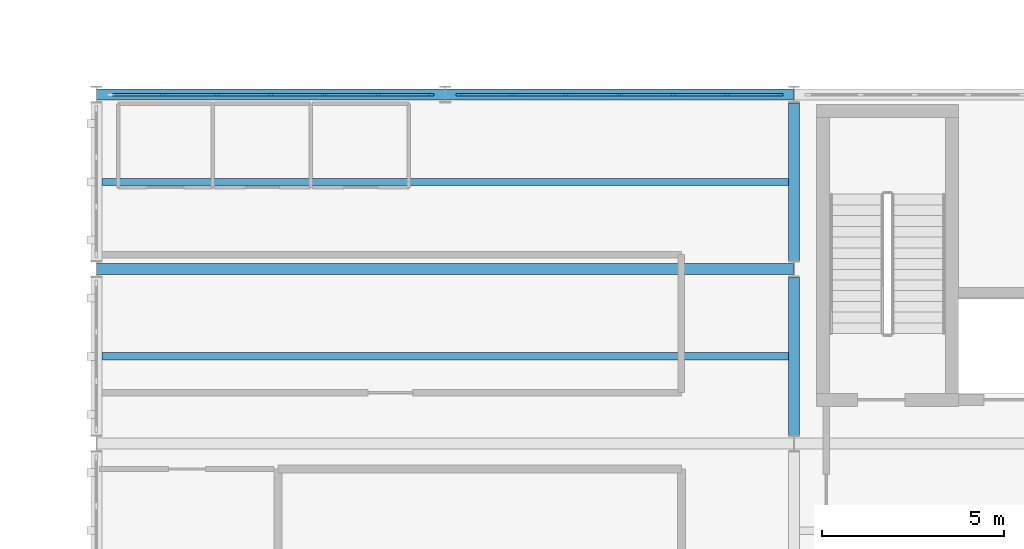
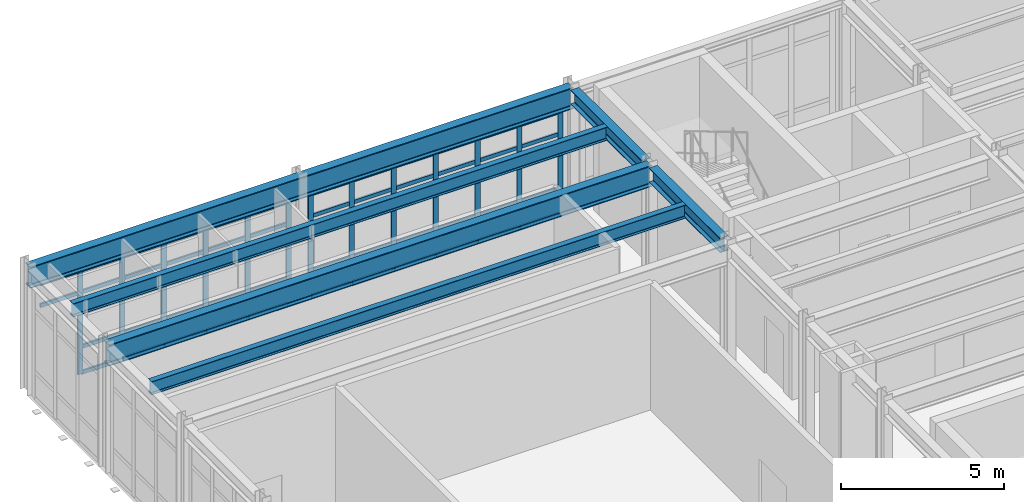
# One storey, part 8 of 28: 59 members, 6 beams, 2 elements without a shape of their own.
"""IFC4 building model written with IfcOpenShell, lengths in metres."""

from ifc_helpers import new_model, si_unit, direction, frame, origin, origin_2d, place, context, subcontext, project, spatial, rectangle, i_section, extrude, material, layer, layer_set, material_profile, profile_set, type_object, element, aggregate, save


model = new_model("IFC4")

# Units and contexts
model_context = context("Model", 3, precision=1e-05, world=origin(), true_north=direction((0.0, 1.0)))
body_context = subcontext(model_context, "Body", "Model", "MODEL_VIEW")
ifc_project = project(units=[si_unit("LENGTHUNIT", "METRE"), si_unit("AREAUNIT", "SQUARE_METRE"), si_unit("VOLUMEUNIT", "CUBIC_METRE"), si_unit("PLANEANGLEUNIT", "RADIAN"), si_unit("MASSUNIT", "GRAM", prefix="KILO")], contexts=[model_context])

# Site, building, storey
site_placement = place(None, origin())
site = spatial("IfcSite", under=ifc_project, at=site_placement, CompositionType="ELEMENT")
building_placement = place(site_placement, origin())
building = spatial("IfcBuilding", under=site, at=building_placement, Name="Nordkorset Police Headquarters", CompositionType="ELEMENT")
storey_placement = place(building_placement, frame((0.0, 0.0, 26.25)))
storey = spatial("IfcBuildingStorey", under=building, at=storey_placement, Name="L06", CompositionType="ELEMENT", Elevation=26.25)

# Beams
ifc_material_1 = material(Name="Steel S355J2", Category="steel")
ifc_material_profile_1 = material_profile(ifc_material_1, i_section(OverallWidth=0.199951171875, OverallDepth=0.5, WebThickness=0.01025390625, FlangeThickness=0.01611328125, FilletRadius=0.02099609375, at=origin_2d()), Name="IPE 500")
ifc_profile_set_1 = profile_set([ifc_material_profile_1], Name="Steel S355J2")
beam_type_1 = type_object("IfcBeamType", Name="Beam_IPE_500", PredefinedType="BEAM", material=ifc_profile_set_1)
for number, where, z_axis, x_axis, name in (
    (1, (0.14990234375, 109.60009765625, 4.4599609375), (1.0, 0.0, 0.0), (0.0, 1.0, 0.0), "Composite Floor Beam V1 L06 0-5-1"),
    (2, (0.14990234375, 114.39990234375, 4.4599609375), (1.0, 0.0, 0.0), (0.0, 1.0, 0.0), "Composite Floor Beam V1 L06 0-6-1"),
):
    element("IfcBeam", number, at=place(storey_placement, frame(where, z_axis=z_axis, x_axis=x_axis)), inside=storey, type_object=beam_type_1, Name=name, PredefinedType="BEAM", context=body_context, shape_type="SweptSolid", body=[
        extrude(i_section(OverallWidth=0.199951171875, OverallDepth=0.5, WebThickness=0.01025390625, FlangeThickness=0.01611328125, FilletRadius=0.02099609375, at=origin_2d()), origin(), (0.0, 0.0, 1.0), 18.900146484375),
    ])

# Curtain wall, members
ifc_material_2 = material(Name="Aluminium alloy AW-6060", Category="aluminium")
ifc_layer = layer(ifc_material_2, 0.179931640625, Name="Aluminium alloy AW-6060")
ifc_layer_set = layer_set([ifc_layer], Name="Aluminium alloy AW-6060")
curtain_wall_type = type_object("IfcCurtainWallType", Name="CW_Unit_888x389", PredefinedType="USERDEFINED", material=ifc_layer_set)
curtain_wall_1_placement = place(storey_placement, origin())
curtain_wall_1 = element("IfcCurtainWall", 3, at=curtain_wall_1_placement, inside=storey, type_object=curtain_wall_type, Name="Unitised Curtain Wall L06 V1N-0", ObjectType="UNITISED CURTAIN WALL", PredefinedType="USERDEFINED")
ifc_material_3 = material(Name="Aluminium alloy AW-6060", Category="aluminium")
ifc_material_profile_2 = material_profile(ifc_material_3, rectangle(XDim=0.06494140625, YDim=0.179931640625, at=origin_2d()), Name="ALU MULL 65x180")
ifc_profile_set_2 = profile_set([ifc_material_profile_2], Name="Aluminium alloy AW-6060")
member_type_1 = type_object("IfcMemberType", Name="CW_Mullion_65x180", PredefinedType="MULLION", material=ifc_profile_set_2)
member_1_placement = place(storey_placement, frame((1.840087890625, 116.800048828125, 0.0), z_axis=(0.0, 0.0, 1.0), x_axis=(0.0, 1.0, 0.0)))
member_1 = element("IfcMember", 4, at=member_1_placement, type_object=member_type_1, Name="CW-76 mullion 2", PredefinedType="MULLION", context=body_context, shape_type="SweptSolid", body=[
    extrude(rectangle(XDim=0.06494140625, YDim=0.179931640625, at=origin_2d()), origin(), (0.0, 0.0, 1.0), 3.889892578125),
])
member_2_placement = place(storey_placement, frame((3.320068359375, 116.800048828125, 0.0), z_axis=(0.0, 0.0, 1.0), x_axis=(0.0, 1.0, 0.0)))
member_2 = element("IfcMember", 5, at=member_2_placement, type_object=member_type_1, Name="CW-76 mullion 3", PredefinedType="MULLION", context=body_context, shape_type="SweptSolid", body=[
    extrude(rectangle(XDim=0.06494140625, YDim=0.179931640625, at=origin_2d()), origin(), (0.0, 0.0, 1.0), 3.889892578125),
])
member_3_placement = place(storey_placement, frame((4.800048828125, 116.800048828125, 0.0), z_axis=(0.0, 0.0, 1.0), x_axis=(0.0, 1.0, 0.0)))
member_3 = element("IfcMember", 6, at=member_3_placement, type_object=member_type_1, Name="CW-76 mullion 4", PredefinedType="MULLION", context=body_context, shape_type="SweptSolid", body=[
    extrude(rectangle(XDim=0.06494140625, YDim=0.179931640625, at=origin_2d()), origin(), (0.0, 0.0, 1.0), 3.889892578125),
])
member_4_placement = place(storey_placement, frame((6.280029296875, 116.800048828125, 0.0), z_axis=(0.0, 0.0, 1.0), x_axis=(0.0, 1.0, 0.0)))
member_4 = element("IfcMember", 7, at=member_4_placement, type_object=member_type_1, Name="CW-76 mullion 5", PredefinedType="MULLION", context=body_context, shape_type="SweptSolid", body=[
    extrude(rectangle(XDim=0.06494140625, YDim=0.179931640625, at=origin_2d()), origin(), (0.0, 0.0, 1.0), 3.889892578125),
])
member_5_placement = place(storey_placement, frame((7.760009765625, 116.800048828125, 0.0), z_axis=(0.0, 0.0, 1.0), x_axis=(0.0, 1.0, 0.0)))
member_5 = element("IfcMember", 8, at=member_5_placement, type_object=member_type_1, Name="CW-76 mullion 6", PredefinedType="MULLION", context=body_context, shape_type="SweptSolid", body=[
    extrude(rectangle(XDim=0.06494140625, YDim=0.179931640625, at=origin_2d()), origin(), (0.0, 0.0, 1.0), 3.889892578125),
])
member_6_placement = place(storey_placement, frame((9.20751953125, 116.800048828125, 0.0), z_axis=(0.0, 0.0, 1.0), x_axis=(0.0, 1.0, 0.0)))
member_6 = element("IfcMember", 9, at=member_6_placement, type_object=member_type_1, Name="CW-76 mullion 7", PredefinedType="MULLION", context=body_context, shape_type="SweptSolid", body=[
    extrude(rectangle(XDim=0.06494140625, YDim=0.179931640625, at=origin_2d()), origin(), (0.0, 0.0, 1.0), 3.889892578125),
])

curtain_wall_2_placement = place(storey_placement, origin())
curtain_wall_2 = element("IfcCurtainWall", 10, at=curtain_wall_2_placement, inside=storey, type_object=curtain_wall_type, Name="Unitised Curtain Wall L06 V1N-1", ObjectType="UNITISED CURTAIN WALL", PredefinedType="USERDEFINED")
member_7_placement = place(storey_placement, frame((9.992431640625, 116.800048828125, 0.0), z_axis=(0.0, 0.0, 1.0), x_axis=(0.0, 1.0, 0.0)))
member_7 = element("IfcMember", 11, at=member_7_placement, type_object=member_type_1, Name="CW-76 mullion 1", PredefinedType="MULLION", context=body_context, shape_type="SweptSolid", body=[
    extrude(rectangle(XDim=0.06494140625, YDim=0.179931640625, at=origin_2d()), origin(), (0.0, 0.0, 1.0), 3.889892578125),
])
member_8_placement = place(storey_placement, frame((11.43994140625, 116.800048828125, 0.0), z_axis=(0.0, 0.0, 1.0), x_axis=(0.0, 1.0, 0.0)))
member_8 = element("IfcMember", 12, at=member_8_placement, type_object=member_type_1, Name="CW-76 mullion 2", PredefinedType="MULLION", context=body_context, shape_type="SweptSolid", body=[
    extrude(rectangle(XDim=0.06494140625, YDim=0.179931640625, at=origin_2d()), origin(), (0.0, 0.0, 1.0), 3.889892578125),
])
member_9_placement = place(storey_placement, frame((12.919921875, 116.800048828125, 0.0), z_axis=(0.0, 0.0, 1.0), x_axis=(0.0, 1.0, 0.0)))
member_9 = element("IfcMember", 13, at=member_9_placement, type_object=member_type_1, Name="CW-76 mullion 3", PredefinedType="MULLION", context=body_context, shape_type="SweptSolid", body=[
    extrude(rectangle(XDim=0.06494140625, YDim=0.179931640625, at=origin_2d()), origin(), (0.0, 0.0, 1.0), 3.889892578125),
])
member_10_placement = place(storey_placement, frame((14.39990234375, 116.800048828125, 0.0), z_axis=(0.0, 0.0, 1.0), x_axis=(0.0, 1.0, 0.0)))
member_10 = element("IfcMember", 14, at=member_10_placement, type_object=member_type_1, Name="CW-76 mullion 4", PredefinedType="MULLION", context=body_context, shape_type="SweptSolid", body=[
    extrude(rectangle(XDim=0.06494140625, YDim=0.179931640625, at=origin_2d()), origin(), (0.0, 0.0, 1.0), 3.889892578125),
])
member_11_placement = place(storey_placement, frame((15.8798828125, 116.800048828125, 0.0), z_axis=(0.0, 0.0, 1.0), x_axis=(0.0, 1.0, 0.0)))
member_11 = element("IfcMember", 15, at=member_11_placement, type_object=member_type_1, Name="CW-76 mullion 5", PredefinedType="MULLION", context=body_context, shape_type="SweptSolid", body=[
    extrude(rectangle(XDim=0.06494140625, YDim=0.179931640625, at=origin_2d()), origin(), (0.0, 0.0, 1.0), 3.889892578125),
])
member_12_placement = place(storey_placement, frame((17.360107421875, 116.800048828125, 0.0), z_axis=(0.0, 0.0, 1.0), x_axis=(0.0, 1.0, 0.0)))
member_12 = element("IfcMember", 16, at=member_12_placement, type_object=member_type_1, Name="CW-76 mullion 6", PredefinedType="MULLION", context=body_context, shape_type="SweptSolid", body=[
    extrude(rectangle(XDim=0.06494140625, YDim=0.179931640625, at=origin_2d()), origin(), (0.0, 0.0, 1.0), 3.889892578125),
])
member_13_placement = place(storey_placement, frame((18.8076171875, 116.800048828125, 0.0), z_axis=(0.0, 0.0, 1.0), x_axis=(0.0, 1.0, 0.0)))
member_13 = element("IfcMember", 17, at=member_13_placement, type_object=member_type_1, Name="CW-76 mullion 7", PredefinedType="MULLION", context=body_context, shape_type="SweptSolid", body=[
    extrude(rectangle(XDim=0.06494140625, YDim=0.179931640625, at=origin_2d()), origin(), (0.0, 0.0, 1.0), 3.889892578125),
])

# Member
ifc_material_4 = material(Name="Aluminium alloy AW-6060", Category="aluminium")
ifc_material_profile_3 = material_profile(ifc_material_4, rectangle(XDim=0.06494140625, YDim=0.139892578125, at=origin_2d()), Name="ALU TRAN 65x140")
ifc_profile_set_3 = profile_set([ifc_material_profile_3], Name="Aluminium alloy AW-6060")
member_type_2 = type_object("IfcMemberType", Name="CW_Transom_65x140", PredefinedType="USERDEFINED", material=ifc_profile_set_3)
member_14_placement = place(storey_placement, frame((0.425048828125, 116.800048828125, 3.0400390625), z_axis=(1.0, 0.0, 0.0), x_axis=(0.0, 1.0, 0.0)))
member_14 = element("IfcMember", 18, at=member_14_placement, type_object=member_type_2, Name="CW-76 transom 1.3", ObjectType="TRANSOM", PredefinedType="USERDEFINED", context=body_context, shape_type="SweptSolid", body=[
    extrude(rectangle(XDim=0.06494140625, YDim=0.139892578125, at=origin_2d()), origin(), (0.0, 0.0, 1.0), 1.382568359375),
])

member_15_placement = place(storey_placement, frame((0.425048828125, 116.800048828125, 3.857421875), z_axis=(1.0, 0.0, 0.0), x_axis=(0.0, 1.0, 0.0)))
member_15 = element("IfcMember", 19, at=member_15_placement, type_object=member_type_2, Name="CW-76 transom 1.4", ObjectType="TRANSOM", PredefinedType="USERDEFINED", context=body_context, shape_type="SweptSolid", body=[
    extrude(rectangle(XDim=0.06494140625, YDim=0.139892578125, at=origin_2d()), origin(), (0.0, 0.0, 1.0), 1.382568359375),
])

member_16_placement = place(storey_placement, frame((1.87255859375, 116.800048828125, 0.032470703125), z_axis=(1.0, 0.0, 0.0), x_axis=(0.0, 1.0, 0.0)))
member_16 = element("IfcMember", 20, at=member_16_placement, type_object=member_type_2, Name="CW-76 transom 2.1", ObjectType="TRANSOM", PredefinedType="USERDEFINED", context=body_context, shape_type="SweptSolid", body=[
    extrude(rectangle(XDim=0.06494140625, YDim=0.139892578125, at=origin_2d()), origin(), (0.0, 0.0, 1.0), 1.4150390625),
])

member_17_placement = place(storey_placement, frame((1.87255859375, 116.800048828125, 1.0), z_axis=(1.0, 0.0, 0.0), x_axis=(0.0, 1.0, 0.0)))
member_17 = element("IfcMember", 21, at=member_17_placement, type_object=member_type_2, Name="CW-76 transom 2.2", ObjectType="TRANSOM", PredefinedType="USERDEFINED", context=body_context, shape_type="SweptSolid", body=[
    extrude(rectangle(XDim=0.06494140625, YDim=0.139892578125, at=origin_2d()), origin(), (0.0, 0.0, 1.0), 1.4150390625),
])

member_18_placement = place(storey_placement, frame((1.87255859375, 116.800048828125, 3.0400390625), z_axis=(1.0, 0.0, 0.0), x_axis=(0.0, 1.0, 0.0)))
member_18 = element("IfcMember", 22, at=member_18_placement, type_object=member_type_2, Name="CW-76 transom 2.3", ObjectType="TRANSOM", PredefinedType="USERDEFINED", context=body_context, shape_type="SweptSolid", body=[
    extrude(rectangle(XDim=0.06494140625, YDim=0.139892578125, at=origin_2d()), origin(), (0.0, 0.0, 1.0), 1.4150390625),
])

member_19_placement = place(storey_placement, frame((1.87255859375, 116.800048828125, 3.857421875), z_axis=(1.0, 0.0, 0.0), x_axis=(0.0, 1.0, 0.0)))
member_19 = element("IfcMember", 23, at=member_19_placement, type_object=member_type_2, Name="CW-76 transom 2.4", ObjectType="TRANSOM", PredefinedType="USERDEFINED", context=body_context, shape_type="SweptSolid", body=[
    extrude(rectangle(XDim=0.06494140625, YDim=0.139892578125, at=origin_2d()), origin(), (0.0, 0.0, 1.0), 1.4150390625),
])

member_20_placement = place(storey_placement, frame((3.3525390625, 116.800048828125, 0.032470703125), z_axis=(1.0, 0.0, 0.0), x_axis=(0.0, 1.0, 0.0)))
member_20 = element("IfcMember", 24, at=member_20_placement, type_object=member_type_2, Name="CW-76 transom 3.1", ObjectType="TRANSOM", PredefinedType="USERDEFINED", context=body_context, shape_type="SweptSolid", body=[
    extrude(rectangle(XDim=0.06494140625, YDim=0.139892578125, at=origin_2d()), origin(), (0.0, 0.0, 1.0), 1.4150390625),
])

member_21_placement = place(storey_placement, frame((3.3525390625, 116.800048828125, 1.0), z_axis=(1.0, 0.0, 0.0), x_axis=(0.0, 1.0, 0.0)))
member_21 = element("IfcMember", 25, at=member_21_placement, type_object=member_type_2, Name="CW-76 transom 3.2", ObjectType="TRANSOM", PredefinedType="USERDEFINED", context=body_context, shape_type="SweptSolid", body=[
    extrude(rectangle(XDim=0.06494140625, YDim=0.139892578125, at=origin_2d()), origin(), (0.0, 0.0, 1.0), 1.4150390625),
])

member_22_placement = place(storey_placement, frame((3.3525390625, 116.800048828125, 3.0400390625), z_axis=(1.0, 0.0, 0.0), x_axis=(0.0, 1.0, 0.0)))
member_22 = element("IfcMember", 26, at=member_22_placement, type_object=member_type_2, Name="CW-76 transom 3.3", ObjectType="TRANSOM", PredefinedType="USERDEFINED", context=body_context, shape_type="SweptSolid", body=[
    extrude(rectangle(XDim=0.06494140625, YDim=0.139892578125, at=origin_2d()), origin(), (0.0, 0.0, 1.0), 1.4150390625),
])

member_23_placement = place(storey_placement, frame((3.3525390625, 116.800048828125, 3.857421875), z_axis=(1.0, 0.0, 0.0), x_axis=(0.0, 1.0, 0.0)))
member_23 = element("IfcMember", 27, at=member_23_placement, type_object=member_type_2, Name="CW-76 transom 3.4", ObjectType="TRANSOM", PredefinedType="USERDEFINED", context=body_context, shape_type="SweptSolid", body=[
    extrude(rectangle(XDim=0.06494140625, YDim=0.139892578125, at=origin_2d()), origin(), (0.0, 0.0, 1.0), 1.4150390625),
])

member_24_placement = place(storey_placement, frame((4.83251953125, 116.800048828125, 0.032470703125), z_axis=(1.0, 0.0, 0.0), x_axis=(0.0, 1.0, 0.0)))
member_24 = element("IfcMember", 28, at=member_24_placement, type_object=member_type_2, Name="CW-76 transom 4.1", ObjectType="TRANSOM", PredefinedType="USERDEFINED", context=body_context, shape_type="SweptSolid", body=[
    extrude(rectangle(XDim=0.06494140625, YDim=0.139892578125, at=origin_2d()), origin(), (0.0, 0.0, 1.0), 1.4150390625),
])

member_25_placement = place(storey_placement, frame((4.83251953125, 116.800048828125, 1.0), z_axis=(1.0, 0.0, 0.0), x_axis=(0.0, 1.0, 0.0)))
member_25 = element("IfcMember", 29, at=member_25_placement, type_object=member_type_2, Name="CW-76 transom 4.2", ObjectType="TRANSOM", PredefinedType="USERDEFINED", context=body_context, shape_type="SweptSolid", body=[
    extrude(rectangle(XDim=0.06494140625, YDim=0.139892578125, at=origin_2d()), origin(), (0.0, 0.0, 1.0), 1.4150390625),
])

member_26_placement = place(storey_placement, frame((4.83251953125, 116.800048828125, 3.0400390625), z_axis=(1.0, 0.0, 0.0), x_axis=(0.0, 1.0, 0.0)))
member_26 = element("IfcMember", 30, at=member_26_placement, type_object=member_type_2, Name="CW-76 transom 4.3", ObjectType="TRANSOM", PredefinedType="USERDEFINED", context=body_context, shape_type="SweptSolid", body=[
    extrude(rectangle(XDim=0.06494140625, YDim=0.139892578125, at=origin_2d()), origin(), (0.0, 0.0, 1.0), 1.4150390625),
])

member_27_placement = place(storey_placement, frame((4.83251953125, 116.800048828125, 3.857421875), z_axis=(1.0, 0.0, 0.0), x_axis=(0.0, 1.0, 0.0)))
member_27 = element("IfcMember", 31, at=member_27_placement, type_object=member_type_2, Name="CW-76 transom 4.4", ObjectType="TRANSOM", PredefinedType="USERDEFINED", context=body_context, shape_type="SweptSolid", body=[
    extrude(rectangle(XDim=0.06494140625, YDim=0.139892578125, at=origin_2d()), origin(), (0.0, 0.0, 1.0), 1.4150390625),
])

member_28_placement = place(storey_placement, frame((6.3125, 116.800048828125, 0.032470703125), z_axis=(1.0, 0.0, 0.0), x_axis=(0.0, 1.0, 0.0)))
member_28 = element("IfcMember", 32, at=member_28_placement, type_object=member_type_2, Name="CW-76 transom 5.1", ObjectType="TRANSOM", PredefinedType="USERDEFINED", context=body_context, shape_type="SweptSolid", body=[
    extrude(rectangle(XDim=0.06494140625, YDim=0.139892578125, at=origin_2d()), origin(), (0.0, 0.0, 1.0), 1.4150390625),
])

member_29_placement = place(storey_placement, frame((6.3125, 116.800048828125, 1.0), z_axis=(1.0, 0.0, 0.0), x_axis=(0.0, 1.0, 0.0)))
member_29 = element("IfcMember", 33, at=member_29_placement, type_object=member_type_2, Name="CW-76 transom 5.2", ObjectType="TRANSOM", PredefinedType="USERDEFINED", context=body_context, shape_type="SweptSolid", body=[
    extrude(rectangle(XDim=0.06494140625, YDim=0.139892578125, at=origin_2d()), origin(), (0.0, 0.0, 1.0), 1.4150390625),
])

member_30_placement = place(storey_placement, frame((6.3125, 116.800048828125, 3.0400390625), z_axis=(1.0, 0.0, 0.0), x_axis=(0.0, 1.0, 0.0)))
member_30 = element("IfcMember", 34, at=member_30_placement, type_object=member_type_2, Name="CW-76 transom 5.3", ObjectType="TRANSOM", PredefinedType="USERDEFINED", context=body_context, shape_type="SweptSolid", body=[
    extrude(rectangle(XDim=0.06494140625, YDim=0.139892578125, at=origin_2d()), origin(), (0.0, 0.0, 1.0), 1.4150390625),
])

member_31_placement = place(storey_placement, frame((6.3125, 116.800048828125, 3.857421875), z_axis=(1.0, 0.0, 0.0), x_axis=(0.0, 1.0, 0.0)))
member_31 = element("IfcMember", 35, at=member_31_placement, type_object=member_type_2, Name="CW-76 transom 5.4", ObjectType="TRANSOM", PredefinedType="USERDEFINED", context=body_context, shape_type="SweptSolid", body=[
    extrude(rectangle(XDim=0.06494140625, YDim=0.139892578125, at=origin_2d()), origin(), (0.0, 0.0, 1.0), 1.4150390625),
])

member_32_placement = place(storey_placement, frame((7.79248046875, 116.800048828125, 0.032470703125), z_axis=(1.0, 0.0, 0.0), x_axis=(0.0, 1.0, 0.0)))
member_32 = element("IfcMember", 36, at=member_32_placement, type_object=member_type_2, Name="CW-76 transom 6.1", ObjectType="TRANSOM", PredefinedType="USERDEFINED", context=body_context, shape_type="SweptSolid", body=[
    extrude(rectangle(XDim=0.06494140625, YDim=0.139892578125, at=origin_2d()), origin(), (0.0, 0.0, 1.0), 1.382568359375),
])

member_33_placement = place(storey_placement, frame((7.79248046875, 116.800048828125, 1.0), z_axis=(1.0, 0.0, 0.0), x_axis=(0.0, 1.0, 0.0)))
member_33 = element("IfcMember", 37, at=member_33_placement, type_object=member_type_2, Name="CW-76 transom 6.2", ObjectType="TRANSOM", PredefinedType="USERDEFINED", context=body_context, shape_type="SweptSolid", body=[
    extrude(rectangle(XDim=0.06494140625, YDim=0.139892578125, at=origin_2d()), origin(), (0.0, 0.0, 1.0), 1.382568359375),
])

member_34_placement = place(storey_placement, frame((7.79248046875, 116.800048828125, 3.0400390625), z_axis=(1.0, 0.0, 0.0), x_axis=(0.0, 1.0, 0.0)))
member_34 = element("IfcMember", 38, at=member_34_placement, type_object=member_type_2, Name="CW-76 transom 6.3", ObjectType="TRANSOM", PredefinedType="USERDEFINED", context=body_context, shape_type="SweptSolid", body=[
    extrude(rectangle(XDim=0.06494140625, YDim=0.139892578125, at=origin_2d()), origin(), (0.0, 0.0, 1.0), 1.382568359375),
])

member_35_placement = place(storey_placement, frame((7.79248046875, 116.800048828125, 3.857421875), z_axis=(1.0, 0.0, 0.0), x_axis=(0.0, 1.0, 0.0)))
member_35 = element("IfcMember", 39, at=member_35_placement, type_object=member_type_2, Name="CW-76 transom 6.4", ObjectType="TRANSOM", PredefinedType="USERDEFINED", context=body_context, shape_type="SweptSolid", body=[
    extrude(rectangle(XDim=0.06494140625, YDim=0.139892578125, at=origin_2d()), origin(), (0.0, 0.0, 1.0), 1.382568359375),
])

aggregate(curtain_wall_1, [member_1, member_2, member_3, member_4, member_5, member_6, member_14, member_15, member_16, member_17, member_18, member_19, member_20, member_21, member_22, member_23, member_24, member_25, member_26, member_27, member_28, member_29, member_30, member_31, member_32, member_33, member_34, member_35])

member_36_placement = place(storey_placement, frame((10.02490234375, 116.800048828125, 0.032470703125), z_axis=(1.0, 0.0, 0.0), x_axis=(0.0, 1.0, 0.0)))
member_36 = element("IfcMember", 40, at=member_36_placement, type_object=member_type_2, Name="CW-76 transom 1.1", ObjectType="TRANSOM", PredefinedType="USERDEFINED", context=body_context, shape_type="SweptSolid", body=[
    extrude(rectangle(XDim=0.06494140625, YDim=0.139892578125, at=origin_2d()), origin(), (0.0, 0.0, 1.0), 1.382568359375),
])

member_37_placement = place(storey_placement, frame((10.02490234375, 116.800048828125, 1.0), z_axis=(1.0, 0.0, 0.0), x_axis=(0.0, 1.0, 0.0)))
member_37 = element("IfcMember", 41, at=member_37_placement, type_object=member_type_2, Name="CW-76 transom 1.2", ObjectType="TRANSOM", PredefinedType="USERDEFINED", context=body_context, shape_type="SweptSolid", body=[
    extrude(rectangle(XDim=0.06494140625, YDim=0.139892578125, at=origin_2d()), origin(), (0.0, 0.0, 1.0), 1.382568359375),
])

member_38_placement = place(storey_placement, frame((10.02490234375, 116.800048828125, 3.0400390625), z_axis=(1.0, 0.0, 0.0), x_axis=(0.0, 1.0, 0.0)))
member_38 = element("IfcMember", 42, at=member_38_placement, type_object=member_type_2, Name="CW-76 transom 1.3", ObjectType="TRANSOM", PredefinedType="USERDEFINED", context=body_context, shape_type="SweptSolid", body=[
    extrude(rectangle(XDim=0.06494140625, YDim=0.139892578125, at=origin_2d()), origin(), (0.0, 0.0, 1.0), 1.382568359375),
])

member_39_placement = place(storey_placement, frame((10.02490234375, 116.800048828125, 3.857421875), z_axis=(1.0, 0.0, 0.0), x_axis=(0.0, 1.0, 0.0)))
member_39 = element("IfcMember", 43, at=member_39_placement, type_object=member_type_2, Name="CW-76 transom 1.4", ObjectType="TRANSOM", PredefinedType="USERDEFINED", context=body_context, shape_type="SweptSolid", body=[
    extrude(rectangle(XDim=0.06494140625, YDim=0.139892578125, at=origin_2d()), origin(), (0.0, 0.0, 1.0), 1.382568359375),
])

member_40_placement = place(storey_placement, frame((11.472412109375, 116.800048828125, 0.032470703125), z_axis=(1.0, 0.0, 0.0), x_axis=(0.0, 1.0, 0.0)))
member_40 = element("IfcMember", 44, at=member_40_placement, type_object=member_type_2, Name="CW-76 transom 2.1", ObjectType="TRANSOM", PredefinedType="USERDEFINED", context=body_context, shape_type="SweptSolid", body=[
    extrude(rectangle(XDim=0.06494140625, YDim=0.139892578125, at=origin_2d()), origin(), (0.0, 0.0, 1.0), 1.4150390625),
])

member_41_placement = place(storey_placement, frame((11.472412109375, 116.800048828125, 1.0), z_axis=(1.0, 0.0, 0.0), x_axis=(0.0, 1.0, 0.0)))
member_41 = element("IfcMember", 45, at=member_41_placement, type_object=member_type_2, Name="CW-76 transom 2.2", ObjectType="TRANSOM", PredefinedType="USERDEFINED", context=body_context, shape_type="SweptSolid", body=[
    extrude(rectangle(XDim=0.06494140625, YDim=0.139892578125, at=origin_2d()), origin(), (0.0, 0.0, 1.0), 1.4150390625),
])

member_42_placement = place(storey_placement, frame((11.472412109375, 116.800048828125, 3.0400390625), z_axis=(1.0, 0.0, 0.0), x_axis=(0.0, 1.0, 0.0)))
member_42 = element("IfcMember", 46, at=member_42_placement, type_object=member_type_2, Name="CW-76 transom 2.3", ObjectType="TRANSOM", PredefinedType="USERDEFINED", context=body_context, shape_type="SweptSolid", body=[
    extrude(rectangle(XDim=0.06494140625, YDim=0.139892578125, at=origin_2d()), origin(), (0.0, 0.0, 1.0), 1.4150390625),
])

member_43_placement = place(storey_placement, frame((11.472412109375, 116.800048828125, 3.857421875), z_axis=(1.0, 0.0, 0.0), x_axis=(0.0, 1.0, 0.0)))
member_43 = element("IfcMember", 47, at=member_43_placement, type_object=member_type_2, Name="CW-76 transom 2.4", ObjectType="TRANSOM", PredefinedType="USERDEFINED", context=body_context, shape_type="SweptSolid", body=[
    extrude(rectangle(XDim=0.06494140625, YDim=0.139892578125, at=origin_2d()), origin(), (0.0, 0.0, 1.0), 1.4150390625),
])

member_44_placement = place(storey_placement, frame((12.952392578125, 116.800048828125, 0.032470703125), z_axis=(1.0, 0.0, 0.0), x_axis=(0.0, 1.0, 0.0)))
member_44 = element("IfcMember", 48, at=member_44_placement, type_object=member_type_2, Name="CW-76 transom 3.1", ObjectType="TRANSOM", PredefinedType="USERDEFINED", context=body_context, shape_type="SweptSolid", body=[
    extrude(rectangle(XDim=0.06494140625, YDim=0.139892578125, at=origin_2d()), origin(), (0.0, 0.0, 1.0), 1.4150390625),
])

member_45_placement = place(storey_placement, frame((12.952392578125, 116.800048828125, 1.0), z_axis=(1.0, 0.0, 0.0), x_axis=(0.0, 1.0, 0.0)))
member_45 = element("IfcMember", 49, at=member_45_placement, type_object=member_type_2, Name="CW-76 transom 3.2", ObjectType="TRANSOM", PredefinedType="USERDEFINED", context=body_context, shape_type="SweptSolid", body=[
    extrude(rectangle(XDim=0.06494140625, YDim=0.139892578125, at=origin_2d()), origin(), (0.0, 0.0, 1.0), 1.4150390625),
])

member_46_placement = place(storey_placement, frame((12.952392578125, 116.800048828125, 3.0400390625), z_axis=(1.0, 0.0, 0.0), x_axis=(0.0, 1.0, 0.0)))
member_46 = element("IfcMember", 50, at=member_46_placement, type_object=member_type_2, Name="CW-76 transom 3.3", ObjectType="TRANSOM", PredefinedType="USERDEFINED", context=body_context, shape_type="SweptSolid", body=[
    extrude(rectangle(XDim=0.06494140625, YDim=0.139892578125, at=origin_2d()), origin(), (0.0, 0.0, 1.0), 1.4150390625),
])

member_47_placement = place(storey_placement, frame((12.952392578125, 116.800048828125, 3.857421875), z_axis=(1.0, 0.0, 0.0), x_axis=(0.0, 1.0, 0.0)))
member_47 = element("IfcMember", 51, at=member_47_placement, type_object=member_type_2, Name="CW-76 transom 3.4", ObjectType="TRANSOM", PredefinedType="USERDEFINED", context=body_context, shape_type="SweptSolid", body=[
    extrude(rectangle(XDim=0.06494140625, YDim=0.139892578125, at=origin_2d()), origin(), (0.0, 0.0, 1.0), 1.4150390625),
])

member_48_placement = place(storey_placement, frame((14.4326171875, 116.800048828125, 0.032470703125), z_axis=(1.0, 0.0, 0.0), x_axis=(0.0, 1.0, 0.0)))
member_48 = element("IfcMember", 52, at=member_48_placement, type_object=member_type_2, Name="CW-76 transom 4.1", ObjectType="TRANSOM", PredefinedType="USERDEFINED", context=body_context, shape_type="SweptSolid", body=[
    extrude(rectangle(XDim=0.06494140625, YDim=0.139892578125, at=origin_2d()), origin(), (0.0, 0.0, 1.0), 1.414794921875),
])

member_49_placement = place(storey_placement, frame((14.4326171875, 116.800048828125, 1.0), z_axis=(1.0, 0.0, 0.0), x_axis=(0.0, 1.0, 0.0)))
member_49 = element("IfcMember", 53, at=member_49_placement, type_object=member_type_2, Name="CW-76 transom 4.2", ObjectType="TRANSOM", PredefinedType="USERDEFINED", context=body_context, shape_type="SweptSolid", body=[
    extrude(rectangle(XDim=0.06494140625, YDim=0.139892578125, at=origin_2d()), origin(), (0.0, 0.0, 1.0), 1.414794921875),
])

member_50_placement = place(storey_placement, frame((14.4326171875, 116.800048828125, 3.0400390625), z_axis=(1.0, 0.0, 0.0), x_axis=(0.0, 1.0, 0.0)))
member_50 = element("IfcMember", 54, at=member_50_placement, type_object=member_type_2, Name="CW-76 transom 4.3", ObjectType="TRANSOM", PredefinedType="USERDEFINED", context=body_context, shape_type="SweptSolid", body=[
    extrude(rectangle(XDim=0.06494140625, YDim=0.139892578125, at=origin_2d()), origin(), (0.0, 0.0, 1.0), 1.414794921875),
])

member_51_placement = place(storey_placement, frame((14.4326171875, 116.800048828125, 3.857421875), z_axis=(1.0, 0.0, 0.0), x_axis=(0.0, 1.0, 0.0)))
member_51 = element("IfcMember", 55, at=member_51_placement, type_object=member_type_2, Name="CW-76 transom 4.4", ObjectType="TRANSOM", PredefinedType="USERDEFINED", context=body_context, shape_type="SweptSolid", body=[
    extrude(rectangle(XDim=0.06494140625, YDim=0.139892578125, at=origin_2d()), origin(), (0.0, 0.0, 1.0), 1.414794921875),
])

member_52_placement = place(storey_placement, frame((15.91259765625, 116.800048828125, 0.032470703125), z_axis=(1.0, 0.0, 0.0), x_axis=(0.0, 1.0, 0.0)))
member_52 = element("IfcMember", 56, at=member_52_placement, type_object=member_type_2, Name="CW-76 transom 5.1", ObjectType="TRANSOM", PredefinedType="USERDEFINED", context=body_context, shape_type="SweptSolid", body=[
    extrude(rectangle(XDim=0.06494140625, YDim=0.139892578125, at=origin_2d()), origin(), (0.0, 0.0, 1.0), 1.414794921875),
])

member_53_placement = place(storey_placement, frame((15.91259765625, 116.800048828125, 1.0), z_axis=(1.0, 0.0, 0.0), x_axis=(0.0, 1.0, 0.0)))
member_53 = element("IfcMember", 57, at=member_53_placement, type_object=member_type_2, Name="CW-76 transom 5.2", ObjectType="TRANSOM", PredefinedType="USERDEFINED", context=body_context, shape_type="SweptSolid", body=[
    extrude(rectangle(XDim=0.06494140625, YDim=0.139892578125, at=origin_2d()), origin(), (0.0, 0.0, 1.0), 1.414794921875),
])

member_54_placement = place(storey_placement, frame((15.91259765625, 116.800048828125, 3.0400390625), z_axis=(1.0, 0.0, 0.0), x_axis=(0.0, 1.0, 0.0)))
member_54 = element("IfcMember", 58, at=member_54_placement, type_object=member_type_2, Name="CW-76 transom 5.3", ObjectType="TRANSOM", PredefinedType="USERDEFINED", context=body_context, shape_type="SweptSolid", body=[
    extrude(rectangle(XDim=0.06494140625, YDim=0.139892578125, at=origin_2d()), origin(), (0.0, 0.0, 1.0), 1.414794921875),
])

member_55_placement = place(storey_placement, frame((15.91259765625, 116.800048828125, 3.857421875), z_axis=(1.0, 0.0, 0.0), x_axis=(0.0, 1.0, 0.0)))
member_55 = element("IfcMember", 59, at=member_55_placement, type_object=member_type_2, Name="CW-76 transom 5.4", ObjectType="TRANSOM", PredefinedType="USERDEFINED", context=body_context, shape_type="SweptSolid", body=[
    extrude(rectangle(XDim=0.06494140625, YDim=0.139892578125, at=origin_2d()), origin(), (0.0, 0.0, 1.0), 1.414794921875),
])

member_56_placement = place(storey_placement, frame((17.392578125, 116.800048828125, 0.032470703125), z_axis=(1.0, 0.0, 0.0), x_axis=(0.0, 1.0, 0.0)))
member_56 = element("IfcMember", 60, at=member_56_placement, type_object=member_type_2, Name="CW-76 transom 6.1", ObjectType="TRANSOM", PredefinedType="USERDEFINED", context=body_context, shape_type="SweptSolid", body=[
    extrude(rectangle(XDim=0.06494140625, YDim=0.139892578125, at=origin_2d()), origin(), (0.0, 0.0, 1.0), 1.38232421875),
])

member_57_placement = place(storey_placement, frame((17.392578125, 116.800048828125, 1.0), z_axis=(1.0, 0.0, 0.0), x_axis=(0.0, 1.0, 0.0)))
member_57 = element("IfcMember", 61, at=member_57_placement, type_object=member_type_2, Name="CW-76 transom 6.2", ObjectType="TRANSOM", PredefinedType="USERDEFINED", context=body_context, shape_type="SweptSolid", body=[
    extrude(rectangle(XDim=0.06494140625, YDim=0.139892578125, at=origin_2d()), origin(), (0.0, 0.0, 1.0), 1.38232421875),
])

member_58_placement = place(storey_placement, frame((17.392578125, 116.800048828125, 3.0400390625), z_axis=(1.0, 0.0, 0.0), x_axis=(0.0, 1.0, 0.0)))
member_58 = element("IfcMember", 62, at=member_58_placement, type_object=member_type_2, Name="CW-76 transom 6.3", ObjectType="TRANSOM", PredefinedType="USERDEFINED", context=body_context, shape_type="SweptSolid", body=[
    extrude(rectangle(XDim=0.06494140625, YDim=0.139892578125, at=origin_2d()), origin(), (0.0, 0.0, 1.0), 1.38232421875),
])

member_59_placement = place(storey_placement, frame((17.392578125, 116.800048828125, 3.857421875), z_axis=(1.0, 0.0, 0.0), x_axis=(0.0, 1.0, 0.0)))
member_59 = element("IfcMember", 63, at=member_59_placement, type_object=member_type_2, Name="CW-76 transom 6.4", ObjectType="TRANSOM", PredefinedType="USERDEFINED", context=body_context, shape_type="SweptSolid", body=[
    extrude(rectangle(XDim=0.06494140625, YDim=0.139892578125, at=origin_2d()), origin(), (0.0, 0.0, 1.0), 1.38232421875),
])

aggregate(curtain_wall_2, [member_7, member_8, member_9, member_10, member_11, member_12, member_13, member_36, member_37, member_38, member_39, member_40, member_41, member_42, member_43, member_44, member_45, member_46, member_47, member_48, member_49, member_50, member_51, member_52, member_53, member_54, member_55, member_56, member_57, member_58, member_59])

# Beams
ifc_material_5 = material(Name="Steel S355J2", Category="steel")
ifc_material_profile_4 = material_profile(ifc_material_5, i_section(OverallWidth=0.300048828125, OverallDepth=0.5400390625, WebThickness=0.012451171875, FlangeThickness=0.02392578125, FilletRadius=0.027099609375, at=origin_2d()), Name="HEA 550")
ifc_profile_set_4 = profile_set([ifc_material_profile_4], Name="Steel S355J2")
beam_type_2 = type_object("IfcBeamType", Name="Girder_HEA_550", PredefinedType="USERDEFINED", material=ifc_profile_set_4)
for number, where, z_axis, x_axis, name in (
    (64, (19.199951171875, 107.425048828125, 4.43994140625), (0.0, 1.0, 0.0), (-1.0, 0.0, 0.0), "Girder V1 L06 GY-1-5"),
    (65, (19.199951171875, 112.22509765625, 4.43994140625), (0.0, 1.0, 0.0), (-1.0, 0.0, 0.0), "Girder V1 L06 GY-1-6"),
):
    element("IfcBeam", number, at=place(storey_placement, frame(where, z_axis=z_axis, x_axis=x_axis)), inside=storey, type_object=beam_type_2, Name=name, ObjectType="GIRDER", PredefinedType="USERDEFINED", context=body_context, shape_type="SweptSolid", body=[
        extrude(i_section(OverallWidth=0.300048828125, OverallDepth=0.5400390625, WebThickness=0.012451171875, FlangeThickness=0.02392578125, FilletRadius=0.027099609375, at=origin_2d()), origin(), (0.0, 0.0, 1.0), 4.349853515625),
    ])
ifc_material_6 = material(Name="Steel S355J2", Category="steel")
ifc_material_profile_5 = material_profile(ifc_material_6, i_section(OverallWidth=0.300048828125, OverallDepth=0.800048828125, WebThickness=0.017578125, FlangeThickness=0.032958984375, FilletRadius=0.030029296875, at=origin_2d()), Name="HEB 800")
ifc_profile_set_5 = profile_set([ifc_material_profile_5], Name="Steel S355J2")
beam_type_3 = type_object("IfcBeamType", Name="Girder_HEB_800", PredefinedType="USERDEFINED", material=ifc_profile_set_5)
for number, where, z_axis, x_axis, name in (
    (66, (0.007080078125, 112.0, 4.31005859375), (1.0, 0.0, 0.0), (0.0, 1.0, 0.0), "Girder V1 L06 GX-6-0"),
    (67, (0.007080078125, 116.800048828125, 4.31005859375), (1.0, 0.0, 0.0), (0.0, 1.0, 0.0), "Girder V1 L06 GX-7-0"),
):
    element("IfcBeam", number, at=place(storey_placement, frame(where, z_axis=z_axis, x_axis=x_axis)), inside=storey, type_object=beam_type_3, Name=name, ObjectType="GIRDER", PredefinedType="USERDEFINED", context=body_context, shape_type="SweptSolid", body=[
        extrude(i_section(OverallWidth=0.300048828125, OverallDepth=0.800048828125, WebThickness=0.017578125, FlangeThickness=0.032958984375, FilletRadius=0.030029296875, at=origin_2d()), origin(), (0.0, 0.0, 1.0), 19.18603515625),
    ])

save(model, "model.ifc")
